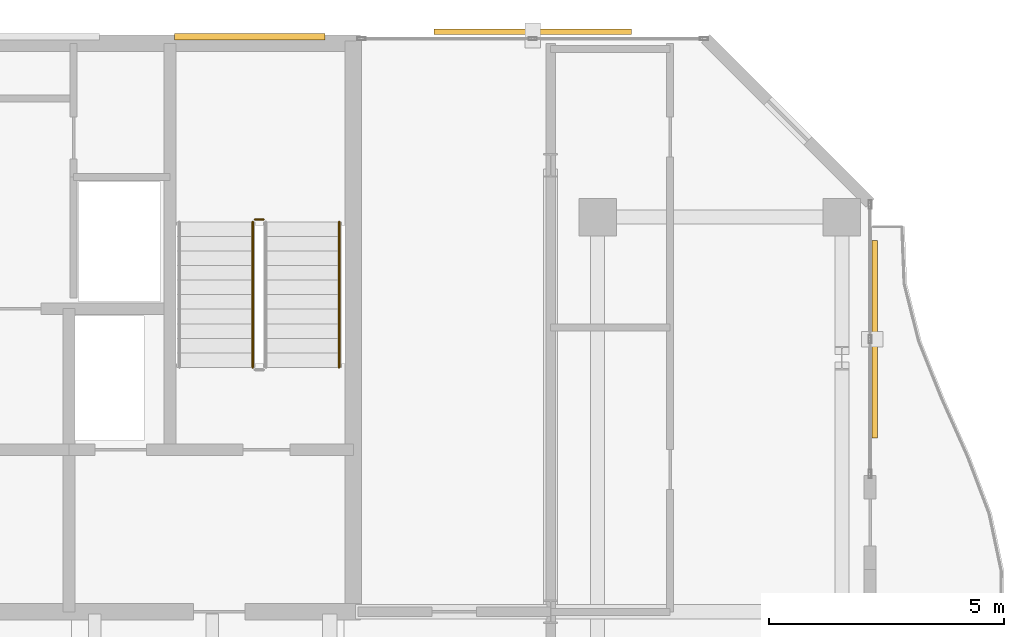
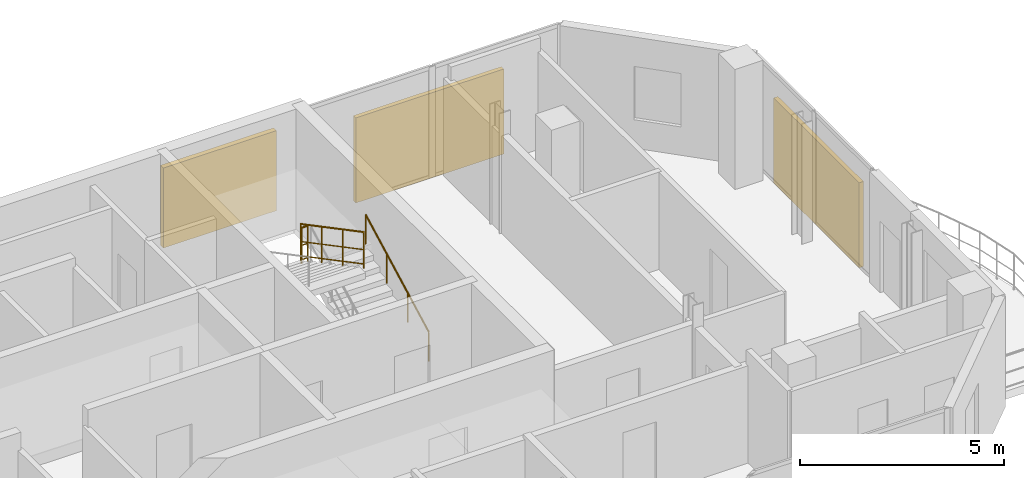
# One storey, part 23 of 23: 3 railings, 3 shading devices.
"""IFC4 building model written with IfcOpenShell, lengths in metres."""

from ifc_helpers import new_model, si_unit, direction, frame, origin, origin_2d, place, context, subcontext, project, spatial, rectangle, circle, extrude, material, type_object, element, save


model = new_model("IFC4")

# Units and contexts
model_context = context("Model", 3, precision=1e-05, world=origin(), true_north=direction((0.0, 1.0)))
body_context = subcontext(model_context, "Body", "Model", "MODEL_VIEW")
ifc_project = project(units=[si_unit("LENGTHUNIT", "METRE"), si_unit("AREAUNIT", "SQUARE_METRE"), si_unit("VOLUMEUNIT", "CUBIC_METRE"), si_unit("PLANEANGLEUNIT", "RADIAN"), si_unit("MASSUNIT", "GRAM", prefix="KILO")], contexts=[model_context])

# Site, building, storey
site_placement = place(None, origin())
site = spatial("IfcSite", under=ifc_project, at=site_placement, CompositionType="ELEMENT")
building_placement = place(site_placement, origin())
building = spatial("IfcBuilding", under=site, at=building_placement, Name="Catumbela Crestline Tower", CompositionType="ELEMENT")
storey_placement = place(building_placement, frame((0.0, 0.0, 186.6)))
storey = spatial("IfcBuildingStorey", under=building, at=storey_placement, Name="L48", CompositionType="ELEMENT", Elevation=186.6)

# Railings
ifc_material_1 = material(Name="Stainless steel EN 1.4401", Category="steel")
railing_type_1 = type_object("IfcRailingType", Name="RG-1100", PredefinedType="GUARDRAIL", material=ifc_material_1)
railing_1_placement = place(storey_placement, frame((38.09, 39.15, 1.8)))
element("IfcRailing", 1, at=railing_1_placement, inside=storey, type_object=railing_type_1, Name="L48 ST-02 stair guard 2", PredefinedType="GUARDRAIL", context=body_context, shape_type="SweptSolid", body=[
    extrude(circle(Radius=0.024, at=origin_2d()), frame((0.0, 0.0, 1.076), z_axis=(-1.0, 0.0, 0.0), x_axis=(0.0, -1.0, 0.0)), (0.0, 0.0, 1.0), 0.18),
    extrude(circle(Radius=0.0156, at=origin_2d()), frame((0.0, 0.0, 0.55), z_axis=(-1.0, 0.0, 0.0), x_axis=(0.0, -1.0, 0.0)), (0.0, 0.0, 1.0), 0.18),
    extrude(circle(Radius=0.0156, at=origin_2d()), frame((0.0, 0.0, 0.12), z_axis=(-1.0, 0.0, 0.0), x_axis=(0.0, -1.0, 0.0)), (0.0, 0.0, 1.0), 0.18),
    extrude(circle(Radius=0.021, at=origin_2d()), origin(), (0.0, 0.0, 1.0), 1.052),
    extrude(circle(Radius=0.021, at=origin_2d()), frame((-0.18, 0.0, 0.0)), (0.0, 0.0, 1.0), 1.052),
])
railing_2_placement = place(storey_placement, frame((37.86, 39.1, 1.9636)))
element("IfcRailing", 2, at=railing_2_placement, inside=storey, type_object=railing_type_1, Name="L48 ST-02 stair guard 3", PredefinedType="GUARDRAIL", context=body_context, shape_type="SweptSolid", body=[
    extrude(circle(Radius=0.024, at=origin_2d()), frame((0.0, 0.0, 1.076), z_axis=(0.0, -0.884350731049, 0.466823076222), x_axis=(1.0, 0.0, 0.0)), (0.0, 0.0, 1.0), 3.5054),
    extrude(circle(Radius=0.0156, at=origin_2d()), frame((0.0, 0.0, 0.55), z_axis=(0.0, -0.884350731049, 0.466823076222), x_axis=(1.0, 0.0, 0.0)), (0.0, 0.0, 1.0), 3.5054),
    extrude(circle(Radius=0.0156, at=origin_2d()), frame((0.0, 0.0, 0.12), z_axis=(0.0, -0.884350731049, 0.466823076222), x_axis=(1.0, 0.0, 0.0)), (0.0, 0.0, 1.0), 3.5054),
    extrude(circle(Radius=0.021, at=origin_2d()), origin(), (0.0, 0.0, 1.0), 1.052),
    extrude(circle(Radius=0.021, at=origin_2d()), frame((0.0, -1.0333, 0.5455)), (0.0, 0.0, 1.0), 1.052),
    extrude(circle(Radius=0.021, at=origin_2d()), frame((0.0, -2.0667, 1.0909)), (0.0, 0.0, 1.0), 1.052),
    extrude(circle(Radius=0.021, at=origin_2d()), frame((0.0, -3.1, 1.6364)), (0.0, 0.0, 1.0), 1.052),
])
railing_type_2 = type_object("IfcRailingType", Name="RH-0900", PredefinedType="HANDRAIL", material=ifc_material_1)
railing_3_placement = place(storey_placement, frame((39.7, 36.0, 0.1636)))
element("IfcRailing", 3, at=railing_3_placement, inside=storey, type_object=railing_type_2, Name="L48 ST-02 stair handrail 1", PredefinedType="HANDRAIL", context=body_context, shape_type="SweptSolid", body=[
    extrude(circle(Radius=0.024, at=origin_2d()), frame((0.0, 0.0, 0.876), z_axis=(0.0, 0.884350731049, 0.466823076222), x_axis=(-1.0, 0.0, 0.0)), (0.0, 0.0, 1.0), 3.5054),
    extrude(circle(Radius=0.021, at=origin_2d()), origin(), (0.0, 0.0, 1.0), 0.852),
    extrude(circle(Radius=0.021, at=origin_2d()), frame((0.0, 1.0333, 0.5455)), (0.0, 0.0, 1.0), 0.852),
    extrude(circle(Radius=0.021, at=origin_2d()), frame((0.0, 2.0667, 1.0909)), (0.0, 0.0, 1.0), 0.852),
    extrude(circle(Radius=0.021, at=origin_2d()), frame((0.0, 3.1, 1.6364)), (0.0, 0.0, 1.0), 0.852),
])

# Shading devices
ifc_material_2 = material(Name="Extruded terracotta ceramic", Category="masonry")
shading_device_type_1 = type_object("IfcShadingDeviceType", Name="ST-180", PredefinedType="USERDEFINED", material=ifc_material_2)
shading_device_1_placement = place(storey_placement, frame((51.099, 36.6, -0.1), z_axis=(0.0, 0.0, 1.0), x_axis=(0.0, 1.0, 0.0)))
element("IfcShadingDevice", 4, at=shading_device_1_placement, inside=storey, type_object=shading_device_type_1, Name="L48 Perforated Terracotta Solar Screen 566 (180 mm)", ObjectType="SCREEN", PredefinedType="USERDEFINED", context=body_context, shape_type="SweptSolid", body=[
    extrude(rectangle(XDim=4.2, YDim=0.12, at=origin_2d()), origin(), (0.0, 0.0, 1.0), 2.55),
])
shading_device_type_2 = type_object("IfcShadingDeviceType", Name="ST-260", PredefinedType="USERDEFINED", material=ifc_material_2)
shading_device_2_placement = place(storey_placement, frame((37.8, 43.04, 0.55), z_axis=(0.0, 0.0, 1.0), x_axis=(1.0, 0.0, 0.0)))
element("IfcShadingDevice", 5, at=shading_device_2_placement, inside=storey, type_object=shading_device_type_2, Name="L48 Rear Core Terracotta Brise-Soleil Screen 559", ObjectType="SCREEN", PredefinedType="USERDEFINED", context=body_context, shape_type="SweptSolid", body=[
    extrude(rectangle(XDim=3.2, YDim=0.14, at=origin_2d()), origin(), (0.0, 0.0, 1.0), 2.4),
])
shading_device_3_placement = place(storey_placement, frame((43.82, 43.143, -0.1), z_axis=(0.0, 0.0, 1.0), x_axis=(-1.0, 0.0, 0.0)))
element("IfcShadingDevice", 6, at=shading_device_3_placement, inside=storey, type_object=shading_device_type_2, Name="L48 Perforated Terracotta Solar Screen 567 (260 mm)", ObjectType="SCREEN", PredefinedType="USERDEFINED", context=body_context, shape_type="SweptSolid", body=[
    extrude(rectangle(XDim=4.2, YDim=0.12, at=origin_2d()), origin(), (0.0, 0.0, 1.0), 2.55),
])

save(model, "model.ifc")
